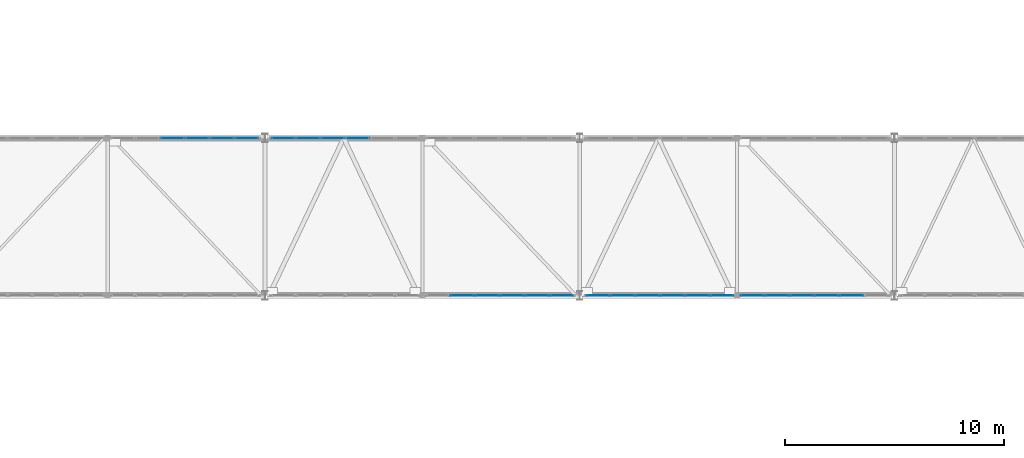
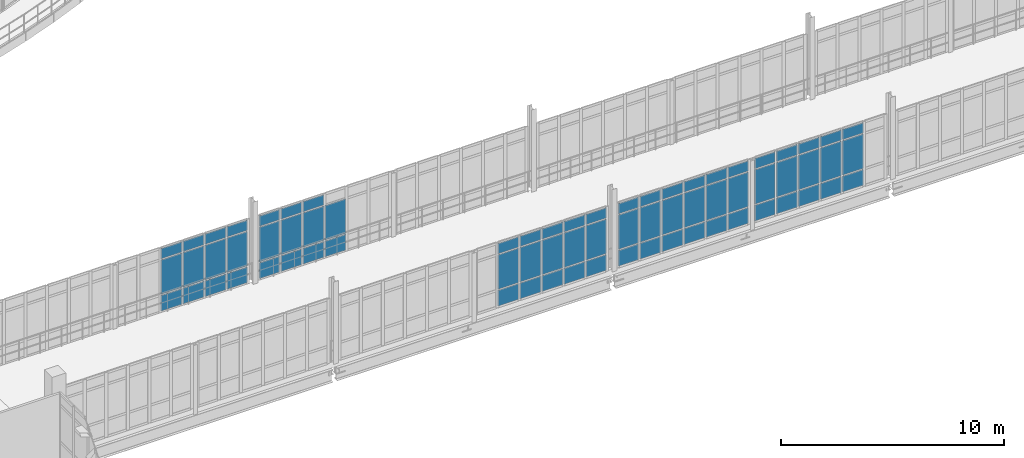
# One storey, part 86 of 116: 71 plates, 5 elements without a shape of their own.
"""IFC4 building model written with IfcOpenShell, lengths in metres."""

from ifc_helpers import new_model, si_unit, direction, frame, origin, origin_2d, place, context, subcontext, project, spatial, rectangle, extrude, material, layer, layer_set, type_object, element, aggregate, save


model = new_model("IFC4")

# Units and contexts
model_context = context("Model", 3, precision=1e-05, world=origin(), true_north=direction((0.0, 1.0)))
body_context = subcontext(model_context, "Body", "Model", "MODEL_VIEW")
ifc_project = project(units=[si_unit("LENGTHUNIT", "METRE"), si_unit("AREAUNIT", "SQUARE_METRE"), si_unit("VOLUMEUNIT", "CUBIC_METRE"), si_unit("PLANEANGLEUNIT", "RADIAN"), si_unit("MASSUNIT", "GRAM", prefix="KILO")], contexts=[model_context])

# Site, building, storey
site_placement = place(None, origin())
site = spatial("IfcSite", under=ifc_project, at=site_placement, CompositionType="ELEMENT")
building_placement = place(site_placement, origin())
building = spatial("IfcBuilding", under=site, at=building_placement, Name="Kalluvel Institute of Natural Sciences", CompositionType="ELEMENT")
storey_placement = place(building_placement, frame((0.0, 0.0, 14.39990234375)))
storey = spatial("IfcBuildingStorey", under=building, at=storey_placement, Name="L03", CompositionType="ELEMENT", Elevation=14.39990234375)

# Curtain wall, plates
ifc_material_1 = material(Name="Aluminium AW-6063 T6", Category="aluminium")
curtain_wall_type = type_object("IfcCurtainWallType", Name="CW-BRG-45", PredefinedType="USERDEFINED", material=ifc_material_1)
curtain_wall_1_placement = place(storey_placement, origin())
curtain_wall_1 = element("IfcCurtainWall", 1, at=curtain_wall_1_placement, inside=storey, type_object=curtain_wall_type, Name="L03 Gothic lancet curtain wall CWA-L03-X429-Y356", ObjectType="UNITISED LANCET FACADE", PredefinedType="USERDEFINED")
ifc_material_2 = material(Name="Solar-Control Low-E Laminated Glass", Category="glass")
ifc_layer = layer(ifc_material_2, 0.031982421875)
ifc_layer_set = layer_set([ifc_layer], Name="Solar-Control Low-E Laminated Glass")
plate_type = type_object("IfcPlateType", Name="CWP-DGU-32", PredefinedType="CURTAIN_PANEL", material=ifc_layer_set)
plate_1_placement = place(storey_placement, frame((45.760009765625, 35.60009765625, 0.06005859375), z_axis=(0.0, 0.0, 1.0), x_axis=(1.0, 0.0, 0.0)))
plate_1 = element("IfcPlate", 2, at=plate_1_placement, type_object=plate_type, Name="CW-07 panel 3.1", PredefinedType="CURTAIN_PANEL", context=body_context, shape_type="SweptSolid", body=[
    extrude(rectangle(XDim=1.080078125, YDim=0.031982421875, at=origin_2d()), origin(), (0.0, 0.0, 1.0), 0.860107421875),
])
plate_2_placement = place(storey_placement, frame((45.760009765625, 35.60009765625, 0.980224609375), z_axis=(0.0, 0.0, 1.0), x_axis=(1.0, 0.0, 0.0)))
plate_2 = element("IfcPlate", 3, at=plate_2_placement, type_object=plate_type, Name="CW-07 panel 3.2", PredefinedType="CURTAIN_PANEL", context=body_context, shape_type="SweptSolid", body=[
    extrude(rectangle(XDim=1.080078125, YDim=0.031982421875, at=origin_2d()), origin(), (0.0, 0.0, 1.0), 1.8798828125),
])
plate_3_placement = place(storey_placement, frame((45.760009765625, 35.60009765625, 2.920166015625), z_axis=(0.0, 0.0, 1.0), x_axis=(1.0, 0.0, 0.0)))
plate_3 = element("IfcPlate", 4, at=plate_3_placement, type_object=plate_type, Name="CW-07 panel 3.3", PredefinedType="CURTAIN_PANEL", context=body_context, shape_type="SweptSolid", body=[
    extrude(rectangle(XDim=1.080078125, YDim=0.031982421875, at=origin_2d()), origin(), (0.0, 0.0, 1.0), 0.56005859375),
])
plate_4_placement = place(storey_placement, frame((46.89990234375, 35.60009765625, 0.06005859375), z_axis=(0.0, 0.0, 1.0), x_axis=(1.0, 0.0, 0.0)))
plate_4 = element("IfcPlate", 5, at=plate_4_placement, type_object=plate_type, Name="CW-07 panel 4.1", PredefinedType="CURTAIN_PANEL", context=body_context, shape_type="SweptSolid", body=[
    extrude(rectangle(XDim=1.080078125, YDim=0.031982421875, at=origin_2d()), origin(), (0.0, 0.0, 1.0), 0.860107421875),
])
plate_5_placement = place(storey_placement, frame((46.89990234375, 35.60009765625, 0.980224609375), z_axis=(0.0, 0.0, 1.0), x_axis=(1.0, 0.0, 0.0)))
plate_5 = element("IfcPlate", 6, at=plate_5_placement, type_object=plate_type, Name="CW-07 panel 4.2", PredefinedType="CURTAIN_PANEL", context=body_context, shape_type="SweptSolid", body=[
    extrude(rectangle(XDim=1.080078125, YDim=0.031982421875, at=origin_2d()), origin(), (0.0, 0.0, 1.0), 1.8798828125),
])
plate_6_placement = place(storey_placement, frame((46.89990234375, 35.60009765625, 2.920166015625), z_axis=(0.0, 0.0, 1.0), x_axis=(1.0, 0.0, 0.0)))
plate_6 = element("IfcPlate", 7, at=plate_6_placement, type_object=plate_type, Name="CW-07 panel 4.3", PredefinedType="CURTAIN_PANEL", context=body_context, shape_type="SweptSolid", body=[
    extrude(rectangle(XDim=1.080078125, YDim=0.031982421875, at=origin_2d()), origin(), (0.0, 0.0, 1.0), 0.56005859375),
])
plate_7_placement = place(storey_placement, frame((48.0400390625, 35.60009765625, 0.06005859375), z_axis=(0.0, 0.0, 1.0), x_axis=(1.0, 0.0, 0.0)))
plate_7 = element("IfcPlate", 8, at=plate_7_placement, type_object=plate_type, Name="CW-07 panel 5.1", PredefinedType="CURTAIN_PANEL", context=body_context, shape_type="SweptSolid", body=[
    extrude(rectangle(XDim=1.080078125, YDim=0.031982421875, at=origin_2d()), origin(), (0.0, 0.0, 1.0), 0.860107421875),
])
plate_8_placement = place(storey_placement, frame((48.0400390625, 35.60009765625, 0.980224609375), z_axis=(0.0, 0.0, 1.0), x_axis=(1.0, 0.0, 0.0)))
plate_8 = element("IfcPlate", 9, at=plate_8_placement, type_object=plate_type, Name="CW-07 panel 5.2", PredefinedType="CURTAIN_PANEL", context=body_context, shape_type="SweptSolid", body=[
    extrude(rectangle(XDim=1.080078125, YDim=0.031982421875, at=origin_2d()), origin(), (0.0, 0.0, 1.0), 1.8798828125),
])
plate_9_placement = place(storey_placement, frame((48.0400390625, 35.60009765625, 2.920166015625), z_axis=(0.0, 0.0, 1.0), x_axis=(1.0, 0.0, 0.0)))
plate_9 = element("IfcPlate", 10, at=plate_9_placement, type_object=plate_type, Name="CW-07 panel 5.3", PredefinedType="CURTAIN_PANEL", context=body_context, shape_type="SweptSolid", body=[
    extrude(rectangle(XDim=1.080078125, YDim=0.031982421875, at=origin_2d()), origin(), (0.0, 0.0, 1.0), 0.56005859375),
])
plate_10_placement = place(storey_placement, frame((49.1650390625, 35.60009765625, 0.06005859375), z_axis=(0.0, 0.0, 1.0), x_axis=(1.0, 0.0, 0.0)))
plate_10 = element("IfcPlate", 11, at=plate_10_placement, type_object=plate_type, Name="CW-07 panel 6.1", PredefinedType="CURTAIN_PANEL", context=body_context, shape_type="SweptSolid", body=[
    extrude(rectangle(XDim=1.050048828125, YDim=0.031982421875, at=origin_2d()), origin(), (0.0, 0.0, 1.0), 0.860107421875),
])
plate_11_placement = place(storey_placement, frame((49.1650390625, 35.60009765625, 0.980224609375), z_axis=(0.0, 0.0, 1.0), x_axis=(1.0, 0.0, 0.0)))
plate_11 = element("IfcPlate", 12, at=plate_11_placement, type_object=plate_type, Name="CW-07 panel 6.2", PredefinedType="CURTAIN_PANEL", context=body_context, shape_type="SweptSolid", body=[
    extrude(rectangle(XDim=1.050048828125, YDim=0.031982421875, at=origin_2d()), origin(), (0.0, 0.0, 1.0), 1.8798828125),
])
plate_12_placement = place(storey_placement, frame((49.1650390625, 35.60009765625, 2.920166015625), z_axis=(0.0, 0.0, 1.0), x_axis=(1.0, 0.0, 0.0)))
plate_12 = element("IfcPlate", 13, at=plate_12_placement, type_object=plate_type, Name="CW-07 panel 6.3", PredefinedType="CURTAIN_PANEL", context=body_context, shape_type="SweptSolid", body=[
    extrude(rectangle(XDim=1.050048828125, YDim=0.031982421875, at=origin_2d()), origin(), (0.0, 0.0, 1.0), 0.56005859375),
])
aggregate(curtain_wall_1, [plate_1, plate_2, plate_3, plate_4, plate_5, plate_6, plate_7, plate_8, plate_9, plate_10, plate_11, plate_12])

curtain_wall_2_placement = place(storey_placement, origin())
curtain_wall_2 = element("IfcCurtainWall", 14, at=curtain_wall_2_placement, inside=storey, type_object=curtain_wall_type, Name="L03 Gothic lancet curtain wall CWA-L03-X502-Y356", ObjectType="UNITISED LANCET FACADE", PredefinedType="USERDEFINED")
plate_13_placement = place(storey_placement, frame((50.8349609375, 35.60009765625, 0.06005859375), z_axis=(0.0, 0.0, 1.0), x_axis=(1.0, 0.0, 0.0)))
plate_13 = element("IfcPlate", 15, at=plate_13_placement, type_object=plate_type, Name="CW-07 panel 1.1", PredefinedType="CURTAIN_PANEL", context=body_context, shape_type="SweptSolid", body=[
    extrude(rectangle(XDim=1.050048828125, YDim=0.031982421875, at=origin_2d()), origin(), (0.0, 0.0, 1.0), 0.860107421875),
])
plate_14_placement = place(storey_placement, frame((50.8349609375, 35.60009765625, 0.980224609375), z_axis=(0.0, 0.0, 1.0), x_axis=(1.0, 0.0, 0.0)))
plate_14 = element("IfcPlate", 16, at=plate_14_placement, type_object=plate_type, Name="CW-07 panel 1.2", PredefinedType="CURTAIN_PANEL", context=body_context, shape_type="SweptSolid", body=[
    extrude(rectangle(XDim=1.050048828125, YDim=0.031982421875, at=origin_2d()), origin(), (0.0, 0.0, 1.0), 1.8798828125),
])
plate_15_placement = place(storey_placement, frame((50.8349609375, 35.60009765625, 2.920166015625), z_axis=(0.0, 0.0, 1.0), x_axis=(1.0, 0.0, 0.0)))
plate_15 = element("IfcPlate", 17, at=plate_15_placement, type_object=plate_type, Name="CW-07 panel 1.3", PredefinedType="CURTAIN_PANEL", context=body_context, shape_type="SweptSolid", body=[
    extrude(rectangle(XDim=1.050048828125, YDim=0.031982421875, at=origin_2d()), origin(), (0.0, 0.0, 1.0), 0.56005859375),
])
plate_16_placement = place(storey_placement, frame((51.9599609375, 35.60009765625, 0.06005859375), z_axis=(0.0, 0.0, 1.0), x_axis=(1.0, 0.0, 0.0)))
plate_16 = element("IfcPlate", 18, at=plate_16_placement, type_object=plate_type, Name="CW-07 panel 2.1", PredefinedType="CURTAIN_PANEL", context=body_context, shape_type="SweptSolid", body=[
    extrude(rectangle(XDim=1.080078125, YDim=0.031982421875, at=origin_2d()), origin(), (0.0, 0.0, 1.0), 0.860107421875),
])
plate_17_placement = place(storey_placement, frame((51.9599609375, 35.60009765625, 0.980224609375), z_axis=(0.0, 0.0, 1.0), x_axis=(1.0, 0.0, 0.0)))
plate_17 = element("IfcPlate", 19, at=plate_17_placement, type_object=plate_type, Name="CW-07 panel 2.2", PredefinedType="CURTAIN_PANEL", context=body_context, shape_type="SweptSolid", body=[
    extrude(rectangle(XDim=1.080078125, YDim=0.031982421875, at=origin_2d()), origin(), (0.0, 0.0, 1.0), 1.8798828125),
])
plate_18_placement = place(storey_placement, frame((51.9599609375, 35.60009765625, 2.920166015625), z_axis=(0.0, 0.0, 1.0), x_axis=(1.0, 0.0, 0.0)))
plate_18 = element("IfcPlate", 20, at=plate_18_placement, type_object=plate_type, Name="CW-07 panel 2.3", PredefinedType="CURTAIN_PANEL", context=body_context, shape_type="SweptSolid", body=[
    extrude(rectangle(XDim=1.080078125, YDim=0.031982421875, at=origin_2d()), origin(), (0.0, 0.0, 1.0), 0.56005859375),
])
plate_19_placement = place(storey_placement, frame((53.10009765625, 35.60009765625, 0.06005859375), z_axis=(0.0, 0.0, 1.0), x_axis=(1.0, 0.0, 0.0)))
plate_19 = element("IfcPlate", 21, at=plate_19_placement, type_object=plate_type, Name="CW-07 panel 3.1", PredefinedType="CURTAIN_PANEL", context=body_context, shape_type="SweptSolid", body=[
    extrude(rectangle(XDim=1.080078125, YDim=0.031982421875, at=origin_2d()), origin(), (0.0, 0.0, 1.0), 0.860107421875),
])
plate_20_placement = place(storey_placement, frame((53.10009765625, 35.60009765625, 0.980224609375), z_axis=(0.0, 0.0, 1.0), x_axis=(1.0, 0.0, 0.0)))
plate_20 = element("IfcPlate", 22, at=plate_20_placement, type_object=plate_type, Name="CW-07 panel 3.2", PredefinedType="CURTAIN_PANEL", context=body_context, shape_type="SweptSolid", body=[
    extrude(rectangle(XDim=1.080078125, YDim=0.031982421875, at=origin_2d()), origin(), (0.0, 0.0, 1.0), 1.8798828125),
])
plate_21_placement = place(storey_placement, frame((53.10009765625, 35.60009765625, 2.920166015625), z_axis=(0.0, 0.0, 1.0), x_axis=(1.0, 0.0, 0.0)))
plate_21 = element("IfcPlate", 23, at=plate_21_placement, type_object=plate_type, Name="CW-07 panel 3.3", PredefinedType="CURTAIN_PANEL", context=body_context, shape_type="SweptSolid", body=[
    extrude(rectangle(XDim=1.080078125, YDim=0.031982421875, at=origin_2d()), origin(), (0.0, 0.0, 1.0), 0.56005859375),
])
plate_22_placement = place(storey_placement, frame((54.239990234375, 35.60009765625, 0.06005859375), z_axis=(0.0, 0.0, 1.0), x_axis=(1.0, 0.0, 0.0)))
plate_22 = element("IfcPlate", 24, at=plate_22_placement, type_object=plate_type, Name="CW-07 panel 4.1", PredefinedType="CURTAIN_PANEL", context=body_context, shape_type="SweptSolid", body=[
    extrude(rectangle(XDim=1.080078125, YDim=0.031982421875, at=origin_2d()), origin(), (0.0, 0.0, 1.0), 0.860107421875),
])
plate_23_placement = place(storey_placement, frame((54.239990234375, 35.60009765625, 0.980224609375), z_axis=(0.0, 0.0, 1.0), x_axis=(1.0, 0.0, 0.0)))
plate_23 = element("IfcPlate", 25, at=plate_23_placement, type_object=plate_type, Name="CW-07 panel 4.2", PredefinedType="CURTAIN_PANEL", context=body_context, shape_type="SweptSolid", body=[
    extrude(rectangle(XDim=1.080078125, YDim=0.031982421875, at=origin_2d()), origin(), (0.0, 0.0, 1.0), 1.8798828125),
])
aggregate(curtain_wall_2, [plate_13, plate_14, plate_15, plate_16, plate_17, plate_18, plate_19, plate_20, plate_21, plate_22, plate_23])

curtain_wall_3_placement = place(storey_placement, origin())
curtain_wall_3 = element("IfcCurtainWall", 26, at=curtain_wall_3_placement, inside=storey, type_object=curtain_wall_type, Name="L03 Gothic lancet curtain wall CWA-L03-X573-Y284", ObjectType="UNITISED LANCET FACADE", PredefinedType="USERDEFINED")
plate_24_placement = place(storey_placement, frame((59.02001953125, 28.39990234375, 0.06005859375), z_axis=(0.0, 0.0, 1.0), x_axis=(1.0, 0.0, 0.0)))
plate_24 = element("IfcPlate", 27, at=plate_24_placement, type_object=plate_type, Name="CW-07 panel 2.1", PredefinedType="CURTAIN_PANEL", context=body_context, shape_type="SweptSolid", body=[
    extrude(rectangle(XDim=1.080078125, YDim=0.031982421875, at=origin_2d()), origin(), (0.0, 0.0, 1.0), 0.860107421875),
])
plate_25_placement = place(storey_placement, frame((59.02001953125, 28.39990234375, 0.980224609375), z_axis=(0.0, 0.0, 1.0), x_axis=(1.0, 0.0, 0.0)))
plate_25 = element("IfcPlate", 28, at=plate_25_placement, type_object=plate_type, Name="CW-07 panel 2.2", PredefinedType="CURTAIN_PANEL", context=body_context, shape_type="SweptSolid", body=[
    extrude(rectangle(XDim=1.080078125, YDim=0.031982421875, at=origin_2d()), origin(), (0.0, 0.0, 1.0), 1.8798828125),
])
plate_26_placement = place(storey_placement, frame((59.02001953125, 28.39990234375, 2.920166015625), z_axis=(0.0, 0.0, 1.0), x_axis=(1.0, 0.0, 0.0)))
plate_26 = element("IfcPlate", 29, at=plate_26_placement, type_object=plate_type, Name="CW-07 panel 2.3", PredefinedType="CURTAIN_PANEL", context=body_context, shape_type="SweptSolid", body=[
    extrude(rectangle(XDim=1.080078125, YDim=0.031982421875, at=origin_2d()), origin(), (0.0, 0.0, 1.0), 0.56005859375),
])
plate_27_placement = place(storey_placement, frame((60.159912109375, 28.39990234375, 0.06005859375), z_axis=(0.0, 0.0, 1.0), x_axis=(1.0, 0.0, 0.0)))
plate_27 = element("IfcPlate", 30, at=plate_27_placement, type_object=plate_type, Name="CW-07 panel 3.1", PredefinedType="CURTAIN_PANEL", context=body_context, shape_type="SweptSolid", body=[
    extrude(rectangle(XDim=1.080078125, YDim=0.031982421875, at=origin_2d()), origin(), (0.0, 0.0, 1.0), 0.860107421875),
])
plate_28_placement = place(storey_placement, frame((60.159912109375, 28.39990234375, 0.980224609375), z_axis=(0.0, 0.0, 1.0), x_axis=(1.0, 0.0, 0.0)))
plate_28 = element("IfcPlate", 31, at=plate_28_placement, type_object=plate_type, Name="CW-07 panel 3.2", PredefinedType="CURTAIN_PANEL", context=body_context, shape_type="SweptSolid", body=[
    extrude(rectangle(XDim=1.080078125, YDim=0.031982421875, at=origin_2d()), origin(), (0.0, 0.0, 1.0), 1.8798828125),
])
plate_29_placement = place(storey_placement, frame((60.159912109375, 28.39990234375, 2.920166015625), z_axis=(0.0, 0.0, 1.0), x_axis=(1.0, 0.0, 0.0)))
plate_29 = element("IfcPlate", 32, at=plate_29_placement, type_object=plate_type, Name="CW-07 panel 3.3", PredefinedType="CURTAIN_PANEL", context=body_context, shape_type="SweptSolid", body=[
    extrude(rectangle(XDim=1.080078125, YDim=0.031982421875, at=origin_2d()), origin(), (0.0, 0.0, 1.0), 0.56005859375),
])
plate_30_placement = place(storey_placement, frame((61.300048828125, 28.39990234375, 0.06005859375), z_axis=(0.0, 0.0, 1.0), x_axis=(1.0, 0.0, 0.0)))
plate_30 = element("IfcPlate", 33, at=plate_30_placement, type_object=plate_type, Name="CW-07 panel 4.1", PredefinedType="CURTAIN_PANEL", context=body_context, shape_type="SweptSolid", body=[
    extrude(rectangle(XDim=1.080078125, YDim=0.031982421875, at=origin_2d()), origin(), (0.0, 0.0, 1.0), 0.860107421875),
])
plate_31_placement = place(storey_placement, frame((61.300048828125, 28.39990234375, 0.980224609375), z_axis=(0.0, 0.0, 1.0), x_axis=(1.0, 0.0, 0.0)))
plate_31 = element("IfcPlate", 34, at=plate_31_placement, type_object=plate_type, Name="CW-07 panel 4.2", PredefinedType="CURTAIN_PANEL", context=body_context, shape_type="SweptSolid", body=[
    extrude(rectangle(XDim=1.080078125, YDim=0.031982421875, at=origin_2d()), origin(), (0.0, 0.0, 1.0), 1.8798828125),
])
plate_32_placement = place(storey_placement, frame((61.300048828125, 28.39990234375, 2.920166015625), z_axis=(0.0, 0.0, 1.0), x_axis=(1.0, 0.0, 0.0)))
plate_32 = element("IfcPlate", 35, at=plate_32_placement, type_object=plate_type, Name="CW-07 panel 4.3", PredefinedType="CURTAIN_PANEL", context=body_context, shape_type="SweptSolid", body=[
    extrude(rectangle(XDim=1.080078125, YDim=0.031982421875, at=origin_2d()), origin(), (0.0, 0.0, 1.0), 0.56005859375),
])
plate_33_placement = place(storey_placement, frame((62.43994140625, 28.39990234375, 0.06005859375), z_axis=(0.0, 0.0, 1.0), x_axis=(1.0, 0.0, 0.0)))
plate_33 = element("IfcPlate", 36, at=plate_33_placement, type_object=plate_type, Name="CW-07 panel 5.1", PredefinedType="CURTAIN_PANEL", context=body_context, shape_type="SweptSolid", body=[
    extrude(rectangle(XDim=1.080078125, YDim=0.031982421875, at=origin_2d()), origin(), (0.0, 0.0, 1.0), 0.860107421875),
])
plate_34_placement = place(storey_placement, frame((62.43994140625, 28.39990234375, 0.980224609375), z_axis=(0.0, 0.0, 1.0), x_axis=(1.0, 0.0, 0.0)))
plate_34 = element("IfcPlate", 37, at=plate_34_placement, type_object=plate_type, Name="CW-07 panel 5.2", PredefinedType="CURTAIN_PANEL", context=body_context, shape_type="SweptSolid", body=[
    extrude(rectangle(XDim=1.080078125, YDim=0.031982421875, at=origin_2d()), origin(), (0.0, 0.0, 1.0), 1.8798828125),
])
plate_35_placement = place(storey_placement, frame((62.43994140625, 28.39990234375, 2.920166015625), z_axis=(0.0, 0.0, 1.0), x_axis=(1.0, 0.0, 0.0)))
plate_35 = element("IfcPlate", 38, at=plate_35_placement, type_object=plate_type, Name="CW-07 panel 5.3", PredefinedType="CURTAIN_PANEL", context=body_context, shape_type="SweptSolid", body=[
    extrude(rectangle(XDim=1.080078125, YDim=0.031982421875, at=origin_2d()), origin(), (0.0, 0.0, 1.0), 0.56005859375),
])
plate_36_placement = place(storey_placement, frame((63.56494140625, 28.39990234375, 0.06005859375), z_axis=(0.0, 0.0, 1.0), x_axis=(1.0, 0.0, 0.0)))
plate_36 = element("IfcPlate", 39, at=plate_36_placement, type_object=plate_type, Name="CW-07 panel 6.1", PredefinedType="CURTAIN_PANEL", context=body_context, shape_type="SweptSolid", body=[
    extrude(rectangle(XDim=1.050048828125, YDim=0.031982421875, at=origin_2d()), origin(), (0.0, 0.0, 1.0), 0.860107421875),
])
plate_37_placement = place(storey_placement, frame((63.56494140625, 28.39990234375, 0.980224609375), z_axis=(0.0, 0.0, 1.0), x_axis=(1.0, 0.0, 0.0)))
plate_37 = element("IfcPlate", 40, at=plate_37_placement, type_object=plate_type, Name="CW-07 panel 6.2", PredefinedType="CURTAIN_PANEL", context=body_context, shape_type="SweptSolid", body=[
    extrude(rectangle(XDim=1.050048828125, YDim=0.031982421875, at=origin_2d()), origin(), (0.0, 0.0, 1.0), 1.8798828125),
])
plate_38_placement = place(storey_placement, frame((63.56494140625, 28.39990234375, 2.920166015625), z_axis=(0.0, 0.0, 1.0), x_axis=(1.0, 0.0, 0.0)))
plate_38 = element("IfcPlate", 41, at=plate_38_placement, type_object=plate_type, Name="CW-07 panel 6.3", PredefinedType="CURTAIN_PANEL", context=body_context, shape_type="SweptSolid", body=[
    extrude(rectangle(XDim=1.050048828125, YDim=0.031982421875, at=origin_2d()), origin(), (0.0, 0.0, 1.0), 0.56005859375),
])
aggregate(curtain_wall_3, [plate_24, plate_25, plate_26, plate_27, plate_28, plate_29, plate_30, plate_31, plate_32, plate_33, plate_34, plate_35, plate_36, plate_37, plate_38])

curtain_wall_4_placement = place(storey_placement, origin())
curtain_wall_4 = element("IfcCurtainWall", 42, at=curtain_wall_4_placement, inside=storey, type_object=curtain_wall_type, Name="L03 Gothic lancet curtain wall CWA-L03-X646-Y284", ObjectType="UNITISED LANCET FACADE", PredefinedType="USERDEFINED")
plate_39_placement = place(storey_placement, frame((65.235107421875, 28.39990234375, 0.06005859375), z_axis=(0.0, 0.0, 1.0), x_axis=(1.0, 0.0, 0.0)))
plate_39 = element("IfcPlate", 43, at=plate_39_placement, type_object=plate_type, Name="CW-07 panel 1.1", PredefinedType="CURTAIN_PANEL", context=body_context, shape_type="SweptSolid", body=[
    extrude(rectangle(XDim=1.050048828125, YDim=0.031982421875, at=origin_2d()), origin(), (0.0, 0.0, 1.0), 0.860107421875),
])
plate_40_placement = place(storey_placement, frame((65.235107421875, 28.39990234375, 0.980224609375), z_axis=(0.0, 0.0, 1.0), x_axis=(1.0, 0.0, 0.0)))
plate_40 = element("IfcPlate", 44, at=plate_40_placement, type_object=plate_type, Name="CW-07 panel 1.2", PredefinedType="CURTAIN_PANEL", context=body_context, shape_type="SweptSolid", body=[
    extrude(rectangle(XDim=1.050048828125, YDim=0.031982421875, at=origin_2d()), origin(), (0.0, 0.0, 1.0), 1.8798828125),
])
plate_41_placement = place(storey_placement, frame((65.235107421875, 28.39990234375, 2.920166015625), z_axis=(0.0, 0.0, 1.0), x_axis=(1.0, 0.0, 0.0)))
plate_41 = element("IfcPlate", 45, at=plate_41_placement, type_object=plate_type, Name="CW-07 panel 1.3", PredefinedType="CURTAIN_PANEL", context=body_context, shape_type="SweptSolid", body=[
    extrude(rectangle(XDim=1.050048828125, YDim=0.031982421875, at=origin_2d()), origin(), (0.0, 0.0, 1.0), 0.56005859375),
])
plate_42_placement = place(storey_placement, frame((66.360107421875, 28.39990234375, 0.06005859375), z_axis=(0.0, 0.0, 1.0), x_axis=(1.0, 0.0, 0.0)))
plate_42 = element("IfcPlate", 46, at=plate_42_placement, type_object=plate_type, Name="CW-07 panel 2.1", PredefinedType="CURTAIN_PANEL", context=body_context, shape_type="SweptSolid", body=[
    extrude(rectangle(XDim=1.080078125, YDim=0.031982421875, at=origin_2d()), origin(), (0.0, 0.0, 1.0), 0.860107421875),
])
plate_43_placement = place(storey_placement, frame((66.360107421875, 28.39990234375, 0.980224609375), z_axis=(0.0, 0.0, 1.0), x_axis=(1.0, 0.0, 0.0)))
plate_43 = element("IfcPlate", 47, at=plate_43_placement, type_object=plate_type, Name="CW-07 panel 2.2", PredefinedType="CURTAIN_PANEL", context=body_context, shape_type="SweptSolid", body=[
    extrude(rectangle(XDim=1.080078125, YDim=0.031982421875, at=origin_2d()), origin(), (0.0, 0.0, 1.0), 1.8798828125),
])
plate_44_placement = place(storey_placement, frame((66.360107421875, 28.39990234375, 2.920166015625), z_axis=(0.0, 0.0, 1.0), x_axis=(1.0, 0.0, 0.0)))
plate_44 = element("IfcPlate", 48, at=plate_44_placement, type_object=plate_type, Name="CW-07 panel 2.3", PredefinedType="CURTAIN_PANEL", context=body_context, shape_type="SweptSolid", body=[
    extrude(rectangle(XDim=1.080078125, YDim=0.031982421875, at=origin_2d()), origin(), (0.0, 0.0, 1.0), 0.56005859375),
])
plate_45_placement = place(storey_placement, frame((67.5, 28.39990234375, 0.06005859375), z_axis=(0.0, 0.0, 1.0), x_axis=(1.0, 0.0, 0.0)))
plate_45 = element("IfcPlate", 49, at=plate_45_placement, type_object=plate_type, Name="CW-07 panel 3.1", PredefinedType="CURTAIN_PANEL", context=body_context, shape_type="SweptSolid", body=[
    extrude(rectangle(XDim=1.080078125, YDim=0.031982421875, at=origin_2d()), origin(), (0.0, 0.0, 1.0), 0.860107421875),
])
plate_46_placement = place(storey_placement, frame((67.5, 28.39990234375, 0.980224609375), z_axis=(0.0, 0.0, 1.0), x_axis=(1.0, 0.0, 0.0)))
plate_46 = element("IfcPlate", 50, at=plate_46_placement, type_object=plate_type, Name="CW-07 panel 3.2", PredefinedType="CURTAIN_PANEL", context=body_context, shape_type="SweptSolid", body=[
    extrude(rectangle(XDim=1.080078125, YDim=0.031982421875, at=origin_2d()), origin(), (0.0, 0.0, 1.0), 1.8798828125),
])
plate_47_placement = place(storey_placement, frame((67.5, 28.39990234375, 2.920166015625), z_axis=(0.0, 0.0, 1.0), x_axis=(1.0, 0.0, 0.0)))
plate_47 = element("IfcPlate", 51, at=plate_47_placement, type_object=plate_type, Name="CW-07 panel 3.3", PredefinedType="CURTAIN_PANEL", context=body_context, shape_type="SweptSolid", body=[
    extrude(rectangle(XDim=1.080078125, YDim=0.031982421875, at=origin_2d()), origin(), (0.0, 0.0, 1.0), 0.56005859375),
])
plate_48_placement = place(storey_placement, frame((68.639892578125, 28.39990234375, 0.06005859375), z_axis=(0.0, 0.0, 1.0), x_axis=(1.0, 0.0, 0.0)))
plate_48 = element("IfcPlate", 52, at=plate_48_placement, type_object=plate_type, Name="CW-07 panel 4.1", PredefinedType="CURTAIN_PANEL", context=body_context, shape_type="SweptSolid", body=[
    extrude(rectangle(XDim=1.080078125, YDim=0.031982421875, at=origin_2d()), origin(), (0.0, 0.0, 1.0), 0.860107421875),
])
plate_49_placement = place(storey_placement, frame((68.639892578125, 28.39990234375, 0.980224609375), z_axis=(0.0, 0.0, 1.0), x_axis=(1.0, 0.0, 0.0)))
plate_49 = element("IfcPlate", 53, at=plate_49_placement, type_object=plate_type, Name="CW-07 panel 4.2", PredefinedType="CURTAIN_PANEL", context=body_context, shape_type="SweptSolid", body=[
    extrude(rectangle(XDim=1.080078125, YDim=0.031982421875, at=origin_2d()), origin(), (0.0, 0.0, 1.0), 1.8798828125),
])
plate_50_placement = place(storey_placement, frame((68.639892578125, 28.39990234375, 2.920166015625), z_axis=(0.0, 0.0, 1.0), x_axis=(1.0, 0.0, 0.0)))
plate_50 = element("IfcPlate", 54, at=plate_50_placement, type_object=plate_type, Name="CW-07 panel 4.3", PredefinedType="CURTAIN_PANEL", context=body_context, shape_type="SweptSolid", body=[
    extrude(rectangle(XDim=1.080078125, YDim=0.031982421875, at=origin_2d()), origin(), (0.0, 0.0, 1.0), 0.56005859375),
])
plate_51_placement = place(storey_placement, frame((69.780029296875, 28.39990234375, 0.06005859375), z_axis=(0.0, 0.0, 1.0), x_axis=(1.0, 0.0, 0.0)))
plate_51 = element("IfcPlate", 55, at=plate_51_placement, type_object=plate_type, Name="CW-07 panel 5.1", PredefinedType="CURTAIN_PANEL", context=body_context, shape_type="SweptSolid", body=[
    extrude(rectangle(XDim=1.080078125, YDim=0.031982421875, at=origin_2d()), origin(), (0.0, 0.0, 1.0), 0.860107421875),
])
plate_52_placement = place(storey_placement, frame((69.780029296875, 28.39990234375, 0.980224609375), z_axis=(0.0, 0.0, 1.0), x_axis=(1.0, 0.0, 0.0)))
plate_52 = element("IfcPlate", 56, at=plate_52_placement, type_object=plate_type, Name="CW-07 panel 5.2", PredefinedType="CURTAIN_PANEL", context=body_context, shape_type="SweptSolid", body=[
    extrude(rectangle(XDim=1.080078125, YDim=0.031982421875, at=origin_2d()), origin(), (0.0, 0.0, 1.0), 1.8798828125),
])
plate_53_placement = place(storey_placement, frame((69.780029296875, 28.39990234375, 2.920166015625), z_axis=(0.0, 0.0, 1.0), x_axis=(1.0, 0.0, 0.0)))
plate_53 = element("IfcPlate", 57, at=plate_53_placement, type_object=plate_type, Name="CW-07 panel 5.3", PredefinedType="CURTAIN_PANEL", context=body_context, shape_type="SweptSolid", body=[
    extrude(rectangle(XDim=1.080078125, YDim=0.031982421875, at=origin_2d()), origin(), (0.0, 0.0, 1.0), 0.56005859375),
])
plate_54_placement = place(storey_placement, frame((70.905029296875, 28.39990234375, 0.06005859375), z_axis=(0.0, 0.0, 1.0), x_axis=(1.0, 0.0, 0.0)))
plate_54 = element("IfcPlate", 58, at=plate_54_placement, type_object=plate_type, Name="CW-07 panel 6.1", PredefinedType="CURTAIN_PANEL", context=body_context, shape_type="SweptSolid", body=[
    extrude(rectangle(XDim=1.050048828125, YDim=0.031982421875, at=origin_2d()), origin(), (0.0, 0.0, 1.0), 0.860107421875),
])
plate_55_placement = place(storey_placement, frame((70.905029296875, 28.39990234375, 0.980224609375), z_axis=(0.0, 0.0, 1.0), x_axis=(1.0, 0.0, 0.0)))
plate_55 = element("IfcPlate", 59, at=plate_55_placement, type_object=plate_type, Name="CW-07 panel 6.2", PredefinedType="CURTAIN_PANEL", context=body_context, shape_type="SweptSolid", body=[
    extrude(rectangle(XDim=1.050048828125, YDim=0.031982421875, at=origin_2d()), origin(), (0.0, 0.0, 1.0), 1.8798828125),
])
plate_56_placement = place(storey_placement, frame((70.905029296875, 28.39990234375, 2.920166015625), z_axis=(0.0, 0.0, 1.0), x_axis=(1.0, 0.0, 0.0)))
plate_56 = element("IfcPlate", 60, at=plate_56_placement, type_object=plate_type, Name="CW-07 panel 6.3", PredefinedType="CURTAIN_PANEL", context=body_context, shape_type="SweptSolid", body=[
    extrude(rectangle(XDim=1.050048828125, YDim=0.031982421875, at=origin_2d()), origin(), (0.0, 0.0, 1.0), 0.56005859375),
])
aggregate(curtain_wall_4, [plate_39, plate_40, plate_41, plate_42, plate_43, plate_44, plate_45, plate_46, plate_47, plate_48, plate_49, plate_50, plate_51, plate_52, plate_53, plate_54, plate_55, plate_56])

curtain_wall_5_placement = place(storey_placement, origin())
curtain_wall_5 = element("IfcCurtainWall", 61, at=curtain_wall_5_placement, inside=storey, type_object=curtain_wall_type, Name="L03 Gothic lancet curtain wall CWA-L03-X717-Y284", ObjectType="UNITISED LANCET FACADE", PredefinedType="USERDEFINED")
plate_57_placement = place(storey_placement, frame((72.294921875, 28.39990234375, 0.06005859375), z_axis=(0.0, 0.0, 1.0), x_axis=(1.0, 0.0, 0.0)))
plate_57 = element("IfcPlate", 62, at=plate_57_placement, type_object=plate_type, Name="CW-07 panel 1.1", PredefinedType="CURTAIN_PANEL", context=body_context, shape_type="SweptSolid", body=[
    extrude(rectangle(XDim=1.050048828125, YDim=0.031982421875, at=origin_2d()), origin(), (0.0, 0.0, 1.0), 0.860107421875),
])
plate_58_placement = place(storey_placement, frame((72.294921875, 28.39990234375, 0.980224609375), z_axis=(0.0, 0.0, 1.0), x_axis=(1.0, 0.0, 0.0)))
plate_58 = element("IfcPlate", 63, at=plate_58_placement, type_object=plate_type, Name="CW-07 panel 1.2", PredefinedType="CURTAIN_PANEL", context=body_context, shape_type="SweptSolid", body=[
    extrude(rectangle(XDim=1.050048828125, YDim=0.031982421875, at=origin_2d()), origin(), (0.0, 0.0, 1.0), 1.8798828125),
])
plate_59_placement = place(storey_placement, frame((72.294921875, 28.39990234375, 2.920166015625), z_axis=(0.0, 0.0, 1.0), x_axis=(1.0, 0.0, 0.0)))
plate_59 = element("IfcPlate", 64, at=plate_59_placement, type_object=plate_type, Name="CW-07 panel 1.3", PredefinedType="CURTAIN_PANEL", context=body_context, shape_type="SweptSolid", body=[
    extrude(rectangle(XDim=1.050048828125, YDim=0.031982421875, at=origin_2d()), origin(), (0.0, 0.0, 1.0), 0.56005859375),
])
plate_60_placement = place(storey_placement, frame((73.419921875, 28.39990234375, 0.06005859375), z_axis=(0.0, 0.0, 1.0), x_axis=(1.0, 0.0, 0.0)))
plate_60 = element("IfcPlate", 65, at=plate_60_placement, type_object=plate_type, Name="CW-07 panel 2.1", PredefinedType="CURTAIN_PANEL", context=body_context, shape_type="SweptSolid", body=[
    extrude(rectangle(XDim=1.080078125, YDim=0.031982421875, at=origin_2d()), origin(), (0.0, 0.0, 1.0), 0.860107421875),
])
plate_61_placement = place(storey_placement, frame((73.419921875, 28.39990234375, 0.980224609375), z_axis=(0.0, 0.0, 1.0), x_axis=(1.0, 0.0, 0.0)))
plate_61 = element("IfcPlate", 66, at=plate_61_placement, type_object=plate_type, Name="CW-07 panel 2.2", PredefinedType="CURTAIN_PANEL", context=body_context, shape_type="SweptSolid", body=[
    extrude(rectangle(XDim=1.080078125, YDim=0.031982421875, at=origin_2d()), origin(), (0.0, 0.0, 1.0), 1.8798828125),
])
plate_62_placement = place(storey_placement, frame((73.419921875, 28.39990234375, 2.920166015625), z_axis=(0.0, 0.0, 1.0), x_axis=(1.0, 0.0, 0.0)))
plate_62 = element("IfcPlate", 67, at=plate_62_placement, type_object=plate_type, Name="CW-07 panel 2.3", PredefinedType="CURTAIN_PANEL", context=body_context, shape_type="SweptSolid", body=[
    extrude(rectangle(XDim=1.080078125, YDim=0.031982421875, at=origin_2d()), origin(), (0.0, 0.0, 1.0), 0.56005859375),
])
plate_63_placement = place(storey_placement, frame((74.56005859375, 28.39990234375, 0.06005859375), z_axis=(0.0, 0.0, 1.0), x_axis=(1.0, 0.0, 0.0)))
plate_63 = element("IfcPlate", 68, at=plate_63_placement, type_object=plate_type, Name="CW-07 panel 3.1", PredefinedType="CURTAIN_PANEL", context=body_context, shape_type="SweptSolid", body=[
    extrude(rectangle(XDim=1.080078125, YDim=0.031982421875, at=origin_2d()), origin(), (0.0, 0.0, 1.0), 0.860107421875),
])
plate_64_placement = place(storey_placement, frame((74.56005859375, 28.39990234375, 0.980224609375), z_axis=(0.0, 0.0, 1.0), x_axis=(1.0, 0.0, 0.0)))
plate_64 = element("IfcPlate", 69, at=plate_64_placement, type_object=plate_type, Name="CW-07 panel 3.2", PredefinedType="CURTAIN_PANEL", context=body_context, shape_type="SweptSolid", body=[
    extrude(rectangle(XDim=1.080078125, YDim=0.031982421875, at=origin_2d()), origin(), (0.0, 0.0, 1.0), 1.8798828125),
])
plate_65_placement = place(storey_placement, frame((74.56005859375, 28.39990234375, 2.920166015625), z_axis=(0.0, 0.0, 1.0), x_axis=(1.0, 0.0, 0.0)))
plate_65 = element("IfcPlate", 70, at=plate_65_placement, type_object=plate_type, Name="CW-07 panel 3.3", PredefinedType="CURTAIN_PANEL", context=body_context, shape_type="SweptSolid", body=[
    extrude(rectangle(XDim=1.080078125, YDim=0.031982421875, at=origin_2d()), origin(), (0.0, 0.0, 1.0), 0.56005859375),
])
plate_66_placement = place(storey_placement, frame((75.699951171875, 28.39990234375, 0.06005859375), z_axis=(0.0, 0.0, 1.0), x_axis=(1.0, 0.0, 0.0)))
plate_66 = element("IfcPlate", 71, at=plate_66_placement, type_object=plate_type, Name="CW-07 panel 4.1", PredefinedType="CURTAIN_PANEL", context=body_context, shape_type="SweptSolid", body=[
    extrude(rectangle(XDim=1.080078125, YDim=0.031982421875, at=origin_2d()), origin(), (0.0, 0.0, 1.0), 0.860107421875),
])
plate_67_placement = place(storey_placement, frame((75.699951171875, 28.39990234375, 0.980224609375), z_axis=(0.0, 0.0, 1.0), x_axis=(1.0, 0.0, 0.0)))
plate_67 = element("IfcPlate", 72, at=plate_67_placement, type_object=plate_type, Name="CW-07 panel 4.2", PredefinedType="CURTAIN_PANEL", context=body_context, shape_type="SweptSolid", body=[
    extrude(rectangle(XDim=1.080078125, YDim=0.031982421875, at=origin_2d()), origin(), (0.0, 0.0, 1.0), 1.8798828125),
])
plate_68_placement = place(storey_placement, frame((75.699951171875, 28.39990234375, 2.920166015625), z_axis=(0.0, 0.0, 1.0), x_axis=(1.0, 0.0, 0.0)))
plate_68 = element("IfcPlate", 73, at=plate_68_placement, type_object=plate_type, Name="CW-07 panel 4.3", PredefinedType="CURTAIN_PANEL", context=body_context, shape_type="SweptSolid", body=[
    extrude(rectangle(XDim=1.080078125, YDim=0.031982421875, at=origin_2d()), origin(), (0.0, 0.0, 1.0), 0.56005859375),
])
plate_69_placement = place(storey_placement, frame((76.840087890625, 28.39990234375, 0.06005859375), z_axis=(0.0, 0.0, 1.0), x_axis=(1.0, 0.0, 0.0)))
plate_69 = element("IfcPlate", 74, at=plate_69_placement, type_object=plate_type, Name="CW-07 panel 5.1", PredefinedType="CURTAIN_PANEL", context=body_context, shape_type="SweptSolid", body=[
    extrude(rectangle(XDim=1.080078125, YDim=0.031982421875, at=origin_2d()), origin(), (0.0, 0.0, 1.0), 0.860107421875),
])
plate_70_placement = place(storey_placement, frame((76.840087890625, 28.39990234375, 0.980224609375), z_axis=(0.0, 0.0, 1.0), x_axis=(1.0, 0.0, 0.0)))
plate_70 = element("IfcPlate", 75, at=plate_70_placement, type_object=plate_type, Name="CW-07 panel 5.2", PredefinedType="CURTAIN_PANEL", context=body_context, shape_type="SweptSolid", body=[
    extrude(rectangle(XDim=1.080078125, YDim=0.031982421875, at=origin_2d()), origin(), (0.0, 0.0, 1.0), 1.8798828125),
])
plate_71_placement = place(storey_placement, frame((76.840087890625, 28.39990234375, 2.920166015625), z_axis=(0.0, 0.0, 1.0), x_axis=(1.0, 0.0, 0.0)))
plate_71 = element("IfcPlate", 76, at=plate_71_placement, type_object=plate_type, Name="CW-07 panel 5.3", PredefinedType="CURTAIN_PANEL", context=body_context, shape_type="SweptSolid", body=[
    extrude(rectangle(XDim=1.080078125, YDim=0.031982421875, at=origin_2d()), origin(), (0.0, 0.0, 1.0), 0.56005859375),
])
aggregate(curtain_wall_5, [plate_57, plate_58, plate_59, plate_60, plate_61, plate_62, plate_63, plate_64, plate_65, plate_66, plate_67, plate_68, plate_69, plate_70, plate_71])

save(model, "model.ifc")
